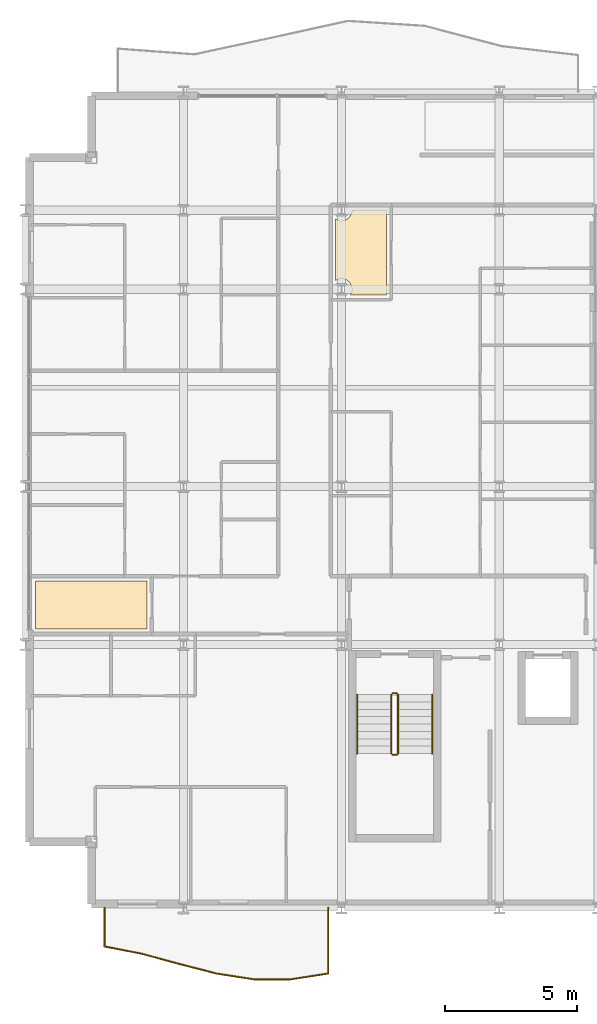
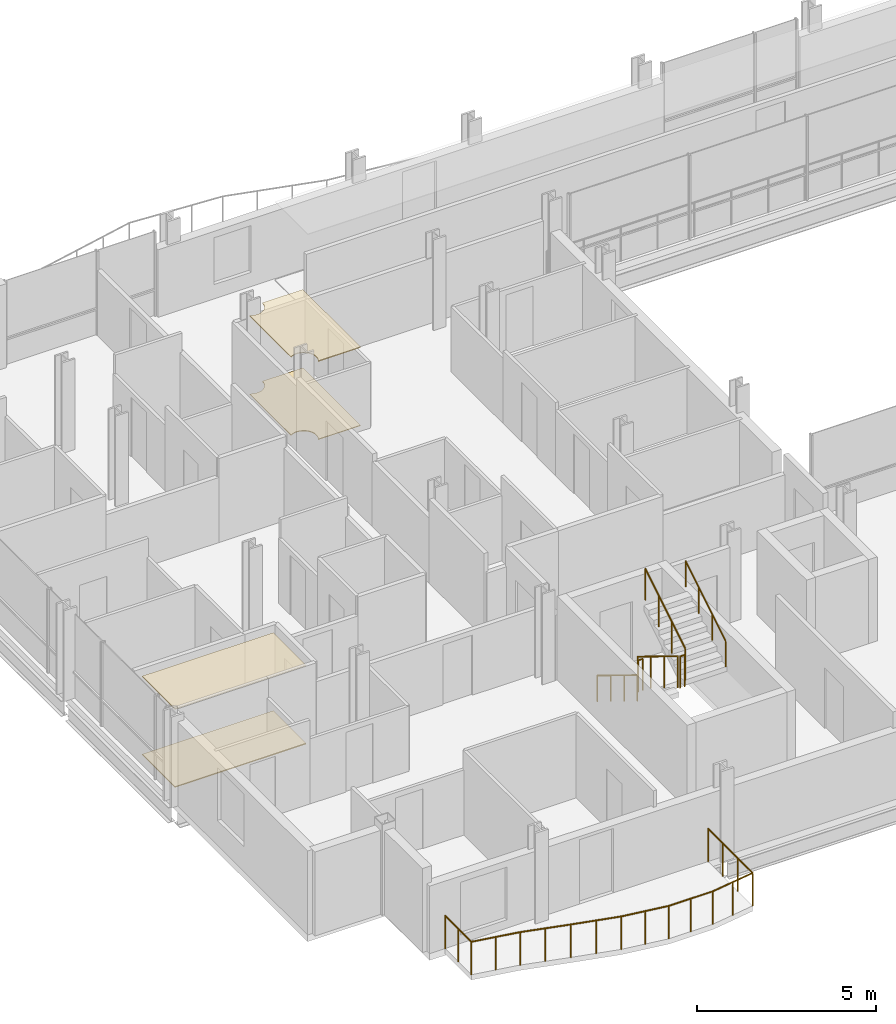
# One storey, part 37 of 40: 7 railings, 4 coverings.
"""IFC4 building model written with IfcOpenShell, lengths in metres."""

from ifc_helpers import new_model, si_unit, direction, frame, origin, origin_2d, place, context, subcontext, project, spatial, polyline, circle, outline, extrude, material, layer, layer_set, type_object, element, save


model = new_model("IFC4")

# Units and contexts
model_context = context("Model", 3, precision=1e-05, world=origin(), true_north=direction((0.0, 1.0)))
body_context = subcontext(model_context, "Body", "Model", "MODEL_VIEW")
ifc_project = project(units=[si_unit("LENGTHUNIT", "METRE"), si_unit("AREAUNIT", "SQUARE_METRE"), si_unit("VOLUMEUNIT", "CUBIC_METRE"), si_unit("PLANEANGLEUNIT", "RADIAN"), si_unit("MASSUNIT", "GRAM", prefix="KILO")], contexts=[model_context])

# Site, building, storey
site_placement = place(None, origin())
site = spatial("IfcSite", under=ifc_project, at=site_placement, CompositionType="ELEMENT")
building_placement = place(site_placement, origin())
building = spatial("IfcBuilding", under=site, at=building_placement, Name="Brevholm Reach", CompositionType="ELEMENT")
storey_placement = place(building_placement, frame((0.0, 0.0, 62.10009765625)))
storey = spatial("IfcBuildingStorey", under=building, at=storey_placement, Name="L17", CompositionType="ELEMENT", Elevation=62.10009765625)

# Coverings
ifc_material_1 = material(Name="Moisture-Resistant Skimmed Gypsum Plasterboard Ceiling", Category="gypsum")
ifc_layer_1 = layer(ifc_material_1, 0.030029296875)
ifc_layer_set_1 = layer_set([ifc_layer_1], Name="Moisture-Resistant Skimmed Gypsum Plasterboard Ceiling")
covering_type_1 = type_object("IfcCoveringType", Name="COV-CLG-GYP", PredefinedType="CEILING", material=ifc_layer_set_1)
covering_1_placement = place(storey_placement, frame((0.0, 0.0, 2.669921875)))
element("IfcCovering", 1, at=covering_1_placement, inside=storey, type_object=covering_type_1, Name="L17 Suspended Ceiling L17-30", PredefinedType="CEILING", context=body_context, shape_type="SweptSolid", body=[
    extrude(outline(polyline([(0.3798828125, 12.419921875), (4.615966796875, 12.419921875), (4.615966796875, 10.583984375), (0.3798828125, 10.583984375), (0.3798828125, 12.419921875)])), origin(), (0.0, 0.0, 1.0), 0.030029296875),
])
covering_2_placement = place(storey_placement, frame((0.0, 0.0, 2.669921875)))
element("IfcCovering", 2, at=covering_2_placement, inside=storey, type_object=covering_type_1, Name="L17 Suspended Ceiling L17-50", PredefinedType="CEILING", context=body_context, shape_type="SweptSolid", body=[
    extrude(outline(polyline([(13.708984375, 23.280029296875), (12.333984375, 23.280029296875), (12.352783203125, 23.311279296875), (12.36962890625, 23.346923828125), (12.3828125, 23.3837890625), (12.392333984375, 23.422119140625), (12.398193359375, 23.460693359375), (12.39990234375, 23.5), (12.398193359375, 23.539306640625), (12.392333984375, 23.577880859375), (12.3828125, 23.6162109375), (12.36962890625, 23.653076171875), (12.352783203125, 23.688720703125), (12.33251953125, 23.72216796875), (12.30908203125, 23.75390625), (12.28271484375, 23.78271484375), (12.25390625, 23.80908203125), (12.22216796875, 23.83251953125), (12.188720703125, 23.852783203125), (12.153076171875, 23.86962890625), (12.1162109375, 23.8828125), (12.077880859375, 23.892333984375), (12.039306640625, 23.898193359375), (12.0, 23.89990234375), (11.960693359375, 23.898193359375), (11.922119140625, 23.892333984375), (11.8837890625, 23.8828125), (11.846923828125, 23.86962890625), (11.811279296875, 23.852783203125), (11.783935546875, 23.836181640625), (11.783935546875, 26.163818359375), (11.811279296875, 26.147216796875), (11.846923828125, 26.13037109375), (11.8837890625, 26.1171875), (11.922119140625, 26.107666015625), (11.960693359375, 26.101806640625), (12.0, 26.10009765625), (12.039306640625, 26.101806640625), (12.077880859375, 26.107666015625), (12.1162109375, 26.1171875), (12.153076171875, 26.13037109375), (12.188720703125, 26.147216796875), (12.22216796875, 26.16748046875), (12.25390625, 26.19091796875), (12.28271484375, 26.21728515625), (12.30908203125, 26.24609375), (12.33251953125, 26.27783203125), (12.352783203125, 26.311279296875), (12.36962890625, 26.346923828125), (12.3828125, 26.3837890625), (12.392333984375, 26.422119140625), (12.398193359375, 26.460693359375), (12.39990234375, 26.5), (12.399169921875, 26.51611328125), (13.708984375, 26.51611328125), (13.708984375, 23.280029296875)])), origin(), (0.0, 0.0, 1.0), 0.030029296875),
])
ifc_material_2 = material(Name="Engineered European Oak Acoustic Plank Flooring", Category="timber")
ifc_layer_2 = layer(ifc_material_2, 0.02197265625)
ifc_layer_set_2 = layer_set([ifc_layer_2], Name="Engineered European Oak Acoustic Plank Flooring")
covering_type_2 = type_object("IfcCoveringType", Name="COV-FLR-OAK", PredefinedType="FLOORING", material=ifc_layer_set_2)
covering_3_placement = place(storey_placement, origin())
element("IfcCovering", 3, at=covering_3_placement, inside=storey, type_object=covering_type_2, Name="L17 Floor Finish L17-50", PredefinedType="FLOORING", context=body_context, shape_type="SweptSolid", body=[
    extrude(outline(polyline([(13.708984375, 23.280029296875), (12.333984375, 23.280029296875), (12.352783203125, 23.311279296875), (12.36962890625, 23.346923828125), (12.3828125, 23.3837890625), (12.392333984375, 23.422119140625), (12.398193359375, 23.460693359375), (12.39990234375, 23.5), (12.398193359375, 23.539306640625), (12.392333984375, 23.577880859375), (12.3828125, 23.6162109375), (12.36962890625, 23.653076171875), (12.352783203125, 23.688720703125), (12.33251953125, 23.72216796875), (12.30908203125, 23.75390625), (12.28271484375, 23.78271484375), (12.25390625, 23.80908203125), (12.22216796875, 23.83251953125), (12.188720703125, 23.852783203125), (12.153076171875, 23.86962890625), (12.1162109375, 23.8828125), (12.077880859375, 23.892333984375), (12.039306640625, 23.898193359375), (12.0, 23.89990234375), (11.960693359375, 23.898193359375), (11.922119140625, 23.892333984375), (11.8837890625, 23.8828125), (11.846923828125, 23.86962890625), (11.811279296875, 23.852783203125), (11.783935546875, 23.836181640625), (11.783935546875, 26.163818359375), (11.811279296875, 26.147216796875), (11.846923828125, 26.13037109375), (11.8837890625, 26.1171875), (11.922119140625, 26.107666015625), (11.960693359375, 26.101806640625), (12.0, 26.10009765625), (12.039306640625, 26.101806640625), (12.077880859375, 26.107666015625), (12.1162109375, 26.1171875), (12.153076171875, 26.13037109375), (12.188720703125, 26.147216796875), (12.22216796875, 26.16748046875), (12.25390625, 26.19091796875), (12.28271484375, 26.21728515625), (12.30908203125, 26.24609375), (12.33251953125, 26.27783203125), (12.352783203125, 26.311279296875), (12.36962890625, 26.346923828125), (12.3828125, 26.3837890625), (12.392333984375, 26.422119140625), (12.398193359375, 26.460693359375), (12.39990234375, 26.5), (12.399169921875, 26.51611328125), (13.708984375, 26.51611328125), (13.708984375, 23.280029296875)])), origin(), (0.0, 0.0, 1.0), 0.02197265625),
])
ifc_material_3 = material(Name="Honed Portland-Aggregate Resin Terrazzo Flooring", Category="concrete")
ifc_layer_3 = layer(ifc_material_3, 0.031982421875)
ifc_layer_set_3 = layer_set([ifc_layer_3], Name="Honed Portland-Aggregate Resin Terrazzo Flooring")
covering_type_3 = type_object("IfcCoveringType", Name="COV-FLR-TRZ", PredefinedType="FLOORING", material=ifc_layer_set_3)
covering_4_placement = place(storey_placement, origin())
element("IfcCovering", 4, at=covering_4_placement, inside=storey, type_object=covering_type_3, Name="L17 Floor Finish L17-30", PredefinedType="FLOORING", context=body_context, shape_type="SweptSolid", body=[
    extrude(outline(polyline([(0.3798828125, 12.419921875), (4.615966796875, 12.419921875), (4.615966796875, 10.583984375), (0.3798828125, 10.583984375), (0.3798828125, 12.419921875)])), origin(), (0.0, 0.0, 1.0), 0.031982421875),
])

# Railings
ifc_material_4 = material(Name="Brushed Stainless Steel EN 1.4401 and Laminated Glass", Category="steel")
railing_type_1 = type_object("IfcRailingType", Name="RAL-BALC-1150", PredefinedType="BALUSTRADE", material=ifc_material_4)
railing_1_placement = place(storey_placement, frame((3.0, 0.0, 0.0)))
element("IfcRailing", 5, at=railing_1_placement, inside=storey, type_object=railing_type_1, Name="L17 Guard Balustrade RAL-L17-BAL-SW", PredefinedType="BALUSTRADE", context=body_context, shape_type="SweptSolid", body=[
    extrude(circle(Radius=0.02392578125, at=origin_2d()), frame((0.0, 0.0, 1.1259765625), z_axis=(0.0, -1.0, 0.0), x_axis=(1.0, 0.0, 0.0)), (0.0, 0.0, 1.0), 1.4736328125),
    extrude(circle(Radius=0.02392578125, at=origin_2d()), frame((0.0, -1.4736328125, 1.1259765625), z_axis=(0.981784941083, -0.189995603797, 0.0), x_axis=(0.189995603797, 0.981784941083, 0.0)), (0.0, 0.0, 1.0), 1.443115234375),
    extrude(circle(Radius=0.02392578125, at=origin_2d()), frame((1.416748046875, -1.747802734375, 1.1259765625), z_axis=(0.964821360478, -0.262906337628, 0.0), x_axis=(0.262906337628, 0.964821360478, 0.0)), (0.0, 0.0, 1.0), 1.46826171875),
    extrude(circle(Radius=0.02392578125, at=origin_2d()), frame((2.833251953125, -2.1337890625, 1.1259765625), z_axis=(0.968218696825, -0.250105088151, 0.0), x_axis=(0.250105088151, 0.968218696825, 0.0)), (0.0, 0.0, 1.0), 1.463134765625),
    extrude(circle(Radius=0.02392578125, at=origin_2d()), frame((4.25, -2.499755859375, 1.1259765625), z_axis=(0.988082538492, -0.153924972393, 0.0), x_axis=(0.153924972393, 0.988082538492, 0.0)), (0.0, 0.0, 1.0), 1.433837890625),
    extrude(circle(Radius=0.02392578125, at=origin_2d()), frame((5.666748046875, -2.720458984375, 1.1259765625), z_axis=(1.0, 0.0, 0.0), x_axis=(0.0, 1.0, 0.0)), (0.0, 0.0, 1.0), 1.41650390625),
    extrude(circle(Radius=0.02392578125, at=origin_2d()), frame((7.083251953125, -2.720458984375, 1.1259765625), z_axis=(0.988082538492, 0.153924972393, 0.0), x_axis=(-0.153924972393, 0.988082538492, 0.0)), (0.0, 0.0, 1.0), 1.433837890625),
    extrude(circle(Radius=0.02392578125, at=origin_2d()), frame((8.5, -2.499755859375, 1.1259765625), z_axis=(0.0, 1.0, 0.0), x_axis=(-1.0, 0.0, 0.0)), (0.0, 0.0, 1.0), 2.499755859375),
    extrude(circle(Radius=0.02099609375, at=origin_2d()), origin(), (0.0, 0.0, 1.0), 1.101806640625),
    extrude(circle(Radius=0.02099609375, at=origin_2d()), frame((0.0, -0.73681640625, 0.0)), (0.0, 0.0, 1.0), 1.101806640625),
    extrude(circle(Radius=0.02099609375, at=origin_2d()), frame((0.0, -1.4736328125, 0.0)), (0.0, 0.0, 1.0), 1.101806640625),
    extrude(circle(Radius=0.02099609375, at=origin_2d()), frame((0.70849609375, -1.61083984375, 0.0)), (0.0, 0.0, 1.0), 1.101806640625),
    extrude(circle(Radius=0.02099609375, at=origin_2d()), frame((1.416748046875, -1.747802734375, 0.0)), (0.0, 0.0, 1.0), 1.101806640625),
    extrude(circle(Radius=0.02099609375, at=origin_2d()), frame((2.125, -1.94091796875, 0.0)), (0.0, 0.0, 1.0), 1.101806640625),
    extrude(circle(Radius=0.02099609375, at=origin_2d()), frame((2.833251953125, -2.1337890625, 0.0)), (0.0, 0.0, 1.0), 1.101806640625),
    extrude(circle(Radius=0.02099609375, at=origin_2d()), frame((3.54150390625, -2.31689453125, 0.0)), (0.0, 0.0, 1.0), 1.101806640625),
    extrude(circle(Radius=0.02099609375, at=origin_2d()), frame((4.25, -2.499755859375, 0.0)), (0.0, 0.0, 1.0), 1.101806640625),
    extrude(circle(Radius=0.02099609375, at=origin_2d()), frame((4.95849609375, -2.610107421875, 0.0)), (0.0, 0.0, 1.0), 1.101806640625),
    extrude(circle(Radius=0.02099609375, at=origin_2d()), frame((5.666748046875, -2.720458984375, 0.0)), (0.0, 0.0, 1.0), 1.101806640625),
    extrude(circle(Radius=0.02099609375, at=origin_2d()), frame((6.375, -2.720458984375, 0.0)), (0.0, 0.0, 1.0), 1.101806640625),
    extrude(circle(Radius=0.02099609375, at=origin_2d()), frame((7.083251953125, -2.720458984375, 0.0)), (0.0, 0.0, 1.0), 1.101806640625),
    extrude(circle(Radius=0.02099609375, at=origin_2d()), frame((7.79150390625, -2.610107421875, 0.0)), (0.0, 0.0, 1.0), 1.101806640625),
    extrude(circle(Radius=0.02099609375, at=origin_2d()), frame((8.5, -2.499755859375, 0.0)), (0.0, 0.0, 1.0), 1.101806640625),
    extrude(circle(Radius=0.02099609375, at=origin_2d()), frame((8.5, -1.66650390625, 0.0)), (0.0, 0.0, 1.0), 1.101806640625),
    extrude(circle(Radius=0.02099609375, at=origin_2d()), frame((8.5, -0.833251953125, 0.0)), (0.0, 0.0, 1.0), 1.101806640625),
    extrude(circle(Radius=0.02099609375, at=origin_2d()), frame((8.5, 0.0, 0.0)), (0.0, 0.0, 1.0), 1.101806640625),
])
ifc_material_5 = material(Name="Brushed Stainless Steel EN 1.4401 Continuous Handrail", Category="steel")
railing_type_2 = type_object("IfcRailingType", Name="RAL-HND-950", PredefinedType="HANDRAIL", material=ifc_material_5)
railing_2_placement = place(storey_placement, frame((12.60009765625, 8.10009765625, 0.172119140625)))
element("IfcRailing", 6, at=railing_2_placement, inside=storey, type_object=railing_type_2, Name="L17 ST-1 stair handrail 1", PredefinedType="HANDRAIL", context=body_context, shape_type="SweptSolid", body=[
    extrude(circle(Radius=0.02392578125, at=origin_2d()), frame((0.0, 0.0, 0.8857421875), z_axis=(0.0, -0.85178898068, 0.523885037382), x_axis=(1.0, 0.0, 0.0)), (0.0, 0.0, 1.0), 2.629638671875),
    extrude(circle(Radius=0.02099609375, at=origin_2d()), origin(), (0.0, 0.0, 1.0), 0.86181640625),
    extrude(circle(Radius=0.02099609375, at=origin_2d()), frame((0.0, -0.74658203125, 0.459228515625)), (0.0, 0.0, 1.0), 0.86181640625),
    extrude(circle(Radius=0.02099609375, at=origin_2d()), frame((0.0, -1.493408203125, 0.91845703125)), (0.0, 0.0, 1.0), 0.86181640625),
    extrude(circle(Radius=0.02099609375, at=origin_2d()), frame((0.0, -2.239990234375, 1.377685546875)), (0.0, 0.0, 1.0), 0.86181640625),
])
railing_3_placement = place(storey_placement, frame((15.449951171875, 5.860107421875, 1.72216796875)))
element("IfcRailing", 7, at=railing_3_placement, inside=storey, type_object=railing_type_2, Name="L17 ST-1 stair handrail 2", PredefinedType="HANDRAIL", context=body_context, shape_type="SweptSolid", body=[
    extrude(circle(Radius=0.02392578125, at=origin_2d()), frame((0.0, 0.0, 0.8857421875), z_axis=(0.0, 0.85178898068, 0.523885037382), x_axis=(-1.0, 0.0, 0.0)), (0.0, 0.0, 1.0), 2.629638671875),
    extrude(circle(Radius=0.02099609375, at=origin_2d()), origin(), (0.0, 0.0, 1.0), 0.86181640625),
    extrude(circle(Radius=0.02099609375, at=origin_2d()), frame((0.0, 0.74658203125, 0.459228515625)), (0.0, 0.0, 1.0), 0.86181640625),
    extrude(circle(Radius=0.02099609375, at=origin_2d()), frame((0.0, 1.493408203125, 0.91845703125)), (0.0, 0.0, 1.0), 0.86181640625),
    extrude(circle(Radius=0.02099609375, at=origin_2d()), frame((0.0, 2.239990234375, 1.377685546875)), (0.0, 0.0, 1.0), 0.86181640625),
])
ifc_material_6 = material(Name="Painted Tubular Galvanised Steel S275JR Stair Guard", Category="steel")
railing_type_3 = type_object("IfcRailingType", Name="RAL-STG-1120", PredefinedType="BALUSTRADE", material=ifc_material_6)
railing_4_placement = place(storey_placement, frame((13.89990234375, 8.10009765625, 0.172119140625)))
element("IfcRailing", 8, at=railing_4_placement, inside=storey, type_object=railing_type_3, Name="L17 ST-1 stair guard 1", PredefinedType="BALUSTRADE", context=body_context, shape_type="SweptSolid", body=[
    extrude(circle(Radius=0.02392578125, at=origin_2d()), frame((0.0, 0.0, 1.076171875), z_axis=(0.0, -0.85178898068, 0.523885037382), x_axis=(1.0, 0.0, 0.0)), (0.0, 0.0, 1.0), 2.629638671875),
    extrude(circle(Radius=0.02099609375, at=origin_2d()), origin(), (0.0, 0.0, 1.0), 1.052001953125),
    extrude(circle(Radius=0.02099609375, at=origin_2d()), frame((0.0, -0.74658203125, 0.459228515625)), (0.0, 0.0, 1.0), 1.052001953125),
    extrude(circle(Radius=0.02099609375, at=origin_2d()), frame((0.0, -1.493408203125, 0.91845703125)), (0.0, 0.0, 1.0), 1.052001953125),
    extrude(circle(Radius=0.02099609375, at=origin_2d()), frame((0.0, -2.239990234375, 1.377685546875)), (0.0, 0.0, 1.0), 1.052001953125),
])
railing_5_placement = place(storey_placement, frame((13.949951171875, 5.81005859375, 1.5498046875)))
element("IfcRailing", 9, at=railing_5_placement, inside=storey, type_object=railing_type_3, Name="L17 ST-1 stair guard 2", PredefinedType="BALUSTRADE", context=body_context, shape_type="SweptSolid", body=[
    extrude(circle(Radius=0.02392578125, at=origin_2d()), frame((0.0, 0.0, 1.076171875), z_axis=(1.0, 0.0, 0.0), x_axis=(0.0, 1.0, 0.0)), (0.0, 0.0, 1.0), 0.150146484375),
    extrude(circle(Radius=0.02099609375, at=origin_2d()), origin(), (0.0, 0.0, 1.0), 1.052001953125),
    extrude(circle(Radius=0.02099609375, at=origin_2d()), frame((0.150146484375, 0.0, 0.0)), (0.0, 0.0, 1.0), 1.052001953125),
])
railing_6_placement = place(storey_placement, frame((14.14990234375, 5.860107421875, 1.72216796875)))
element("IfcRailing", 10, at=railing_6_placement, inside=storey, type_object=railing_type_3, Name="L17 ST-1 stair guard 3", PredefinedType="BALUSTRADE", context=body_context, shape_type="SweptSolid", body=[
    extrude(circle(Radius=0.02392578125, at=origin_2d()), frame((0.0, 0.0, 1.076171875), z_axis=(0.0, 0.85178898068, 0.523885037382), x_axis=(-1.0, 0.0, 0.0)), (0.0, 0.0, 1.0), 2.629638671875),
    extrude(circle(Radius=0.02099609375, at=origin_2d()), origin(), (0.0, 0.0, 1.0), 1.052001953125),
    extrude(circle(Radius=0.02099609375, at=origin_2d()), frame((0.0, 0.74658203125, 0.459228515625)), (0.0, 0.0, 1.0), 1.052001953125),
    extrude(circle(Radius=0.02099609375, at=origin_2d()), frame((0.0, 1.493408203125, 0.91845703125)), (0.0, 0.0, 1.0), 1.052001953125),
    extrude(circle(Radius=0.02099609375, at=origin_2d()), frame((0.0, 2.239990234375, 1.377685546875)), (0.0, 0.0, 1.0), 1.052001953125),
])
railing_7_placement = place(storey_placement, frame((13.949951171875, 8.14990234375, 0.0)))
element("IfcRailing", 11, at=railing_7_placement, inside=storey, type_object=railing_type_3, Name="L17 ST-1 stair guard 4", PredefinedType="BALUSTRADE", context=body_context, shape_type="SweptSolid", body=[
    extrude(circle(Radius=0.02392578125, at=origin_2d()), frame((0.0, 0.0, 1.076171875), z_axis=(1.0, 0.0, 0.0), x_axis=(0.0, 1.0, 0.0)), (0.0, 0.0, 1.0), 0.150146484375),
    extrude(circle(Radius=0.02099609375, at=origin_2d()), origin(), (0.0, 0.0, 1.0), 1.052001953125),
    extrude(circle(Radius=0.02099609375, at=origin_2d()), frame((0.150146484375, 0.0, 0.0)), (0.0, 0.0, 1.0), 1.052001953125),
])

save(model, "model.ifc")
